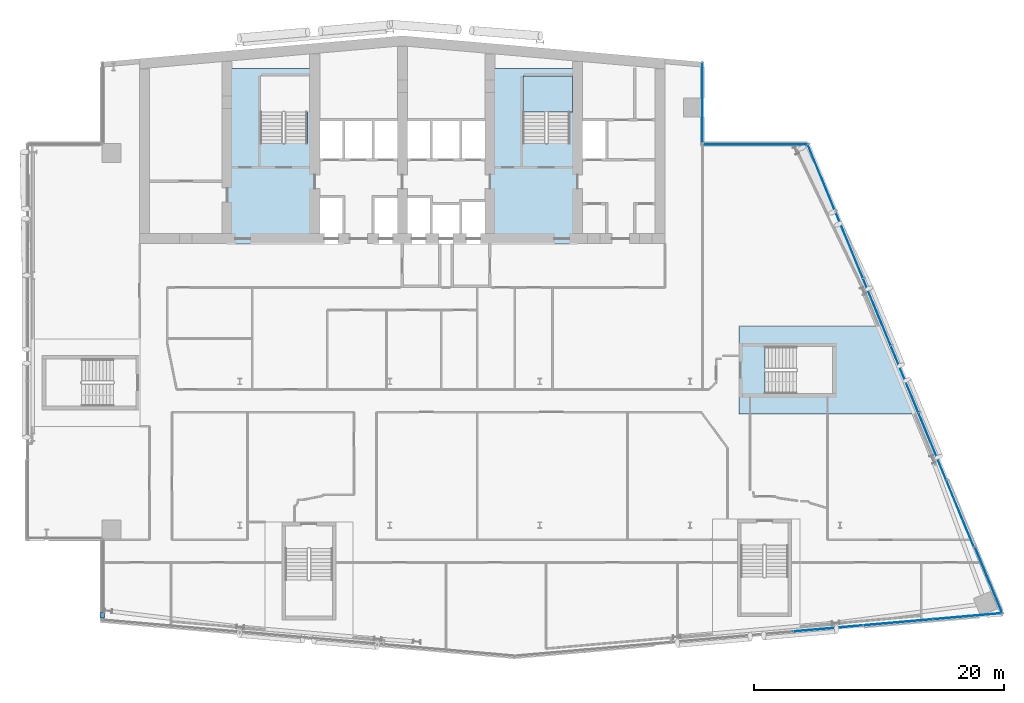
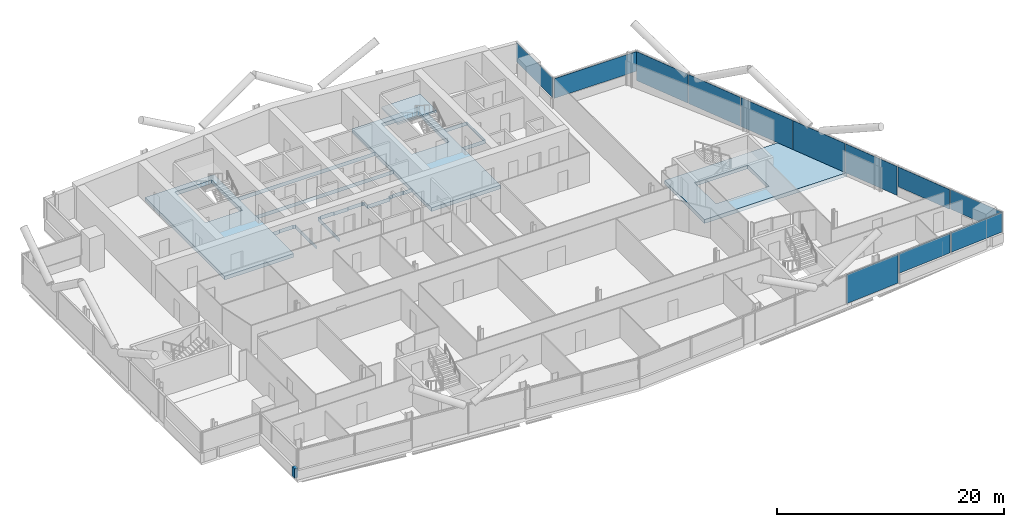
# One storey, part 13 of 27: 12 plates, 3 slabs, 1 wall, 5 elements without a shape of their own.
"""IFC4 building model written with IfcOpenShell, lengths in metres."""

from ifc_helpers import new_model, si_unit, direction, frame, frame_2d, origin, origin_2d, place, context, subcontext, project, spatial, polyline, rectangle, outline, extrude, material, layer, layer_set, type_object, element, aggregate, save


model = new_model("IFC4")

# Units and contexts
model_context = context("Model", 3, precision=1e-05, world=origin(), true_north=direction((0.0, 1.0)))
body_context = subcontext(model_context, "Body", "Model", "MODEL_VIEW")
ifc_project = project(units=[si_unit("LENGTHUNIT", "METRE"), si_unit("AREAUNIT", "SQUARE_METRE"), si_unit("VOLUMEUNIT", "CUBIC_METRE"), si_unit("PLANEANGLEUNIT", "RADIAN"), si_unit("MASSUNIT", "GRAM", prefix="KILO")], contexts=[model_context])

# Site, building, storey
site_placement = place(None, origin())
site = spatial("IfcSite", under=ifc_project, at=site_placement, CompositionType="ELEMENT")
building_placement = place(site_placement, origin())
building = spatial("IfcBuilding", under=site, at=building_placement, Name="Wharfspan Tower", CompositionType="ELEMENT")
storey_placement = place(building_placement, frame((0.0, 0.0, 195.100098)))
storey = spatial("IfcBuildingStorey", under=building, at=storey_placement, Name="L48", CompositionType="ELEMENT", Elevation=195.100098)

# Curtain wall, plates
ifc_material_1 = material(Name="Aluminium 6063-T6", Category="aluminium")
curtain_wall_type_1 = type_object("IfcCurtainWallType", Name="CURTAIN WALL FACETED FRONT", PredefinedType="NOTDEFINED", material=ifc_material_1)
curtain_wall_1_placement = place(storey_placement, origin())
curtain_wall_1 = element("IfcCurtainWall", 1, at=curtain_wall_1_placement, inside=storey, type_object=curtain_wall_type_1, Name="Curtain wall S2", PredefinedType="NOTDEFINED")
ifc_material_2 = material(Name="Glass clear low-iron double glazing", Category="glass")
ifc_layer_1 = layer(ifc_material_2, 0.040039)
ifc_layer_set_1 = layer_set([ifc_layer_1], Name="Glass clear low-iron double glazing")
plate_type_1 = type_object("IfcPlateType", Name="GLASS PANEL FACETED FRONT 40", PredefinedType="CURTAIN_PANEL", material=ifc_layer_set_1)
plate_1_placement = place(storey_placement, frame((76.637695, 3.728516, 0.999756), z_axis=(0.0, 0.0, 1.0), x_axis=(0.996198, 0.087156, 0.0)))
plate_1 = element("IfcPlate", 2, at=plate_1_placement, type_object=plate_type_1, Name="Curtain wall S2 panel 6", PredefinedType="CURTAIN_PANEL", context=body_context, shape_type="SweptSolid", body=[
    extrude(rectangle(XDim=5.532715, YDim=0.040039, at=origin_2d()), origin(), (0.0, 0.0, 1.0), 2.120117),
])
plate_2_placement = place(storey_placement, frame((82.194092, 4.214844, 0.999756), z_axis=(0.0, 0.0, 1.0), x_axis=(0.996198, 0.087156, 0.0)))
plate_2 = element("IfcPlate", 3, at=plate_2_placement, type_object=plate_type_1, Name="Curtain wall S2 panel 7", PredefinedType="CURTAIN_PANEL", context=body_context, shape_type="SweptSolid", body=[
    extrude(rectangle(XDim=5.502686, YDim=0.040039, at=origin_2d()), origin(), (0.0, 0.0, 1.0), 2.120117),
])

curtain_wall_type_2 = type_object("IfcCurtainWallType", Name="CURTAIN WALL PROW AND END", PredefinedType="NOTDEFINED", material=ifc_material_1)
curtain_wall_2_placement = place(storey_placement, origin())
curtain_wall_2 = element("IfcCurtainWall", 4, at=curtain_wall_2_placement, inside=storey, type_object=curtain_wall_type_2, Name="Curtain wall E", PredefinedType="NOTDEFINED")
ifc_layer_2 = layer(ifc_material_2, 0.040039)
ifc_layer_set_2 = layer_set([ifc_layer_2], Name="Glass clear low-iron double glazing")
plate_type_2 = type_object("IfcPlateType", Name="GLASS PANEL PROW AND END 40", PredefinedType="CURTAIN_PANEL", material=ifc_layer_set_2)
plate_3_placement = place(storey_placement, frame((83.885498, 7.099609, 0.999756), z_axis=(0.0, 0.0, 1.0), x_axis=(-0.381602, 0.924325, 0.0)))
plate_3 = element("IfcPlate", 5, at=plate_3_placement, type_object=plate_type_2, Name="Curtain wall E panel 1", PredefinedType="CURTAIN_PANEL", context=body_context, shape_type="SweptSolid", body=[
    extrude(rectangle(XDim=5.721191, YDim=0.040039, at=origin_2d()), origin(), (0.0, 0.0, 1.0), 2.120117),
])
plate_4_placement = place(storey_placement, frame((81.599609, 12.426514, 0.999756), z_axis=(0.0, 0.0, 1.0), x_axis=(-0.381602, 0.924325, 0.0)))
plate_4 = element("IfcPlate", 6, at=plate_4_placement, type_object=plate_type_2, Name="Curtain wall E panel 2", PredefinedType="CURTAIN_PANEL", context=body_context, shape_type="SweptSolid", body=[
    extrude(rectangle(XDim=5.751221, YDim=0.040039, at=origin_2d()), origin(), (0.0, 0.0, 1.0), 2.120117),
])

# Curtain wall, plate
curtain_wall_3_placement = place(storey_placement, origin())
curtain_wall_3 = element("IfcCurtainWall", 7, at=curtain_wall_3_placement, inside=storey, type_object=curtain_wall_type_2, Name="Curtain wall NRE-H", PredefinedType="NOTDEFINED")
plate_5_placement = place(storey_placement, frame((65.238525, 41.919922, 0.999756), z_axis=(0.0, 0.0, 1.0), x_axis=(-1.0, 0.0, 0.0)))
plate_5 = element("IfcPlate", 8, at=plate_5_placement, type_object=plate_type_2, Name="Curtain wall NRE-H panel 1", PredefinedType="CURTAIN_PANEL", context=body_context, shape_type="SweptSolid", body=[
    extrude(rectangle(XDim=8.357178, YDim=0.040039, at=origin_2d()), origin(), (0.0, 0.0, 1.0), 2.120117),
])
aggregate(curtain_wall_3, [plate_5])

curtain_wall_4_placement = place(storey_placement, origin())
curtain_wall_4 = element("IfcCurtainWall", 9, at=curtain_wall_4_placement, inside=storey, type_object=curtain_wall_type_2, Name="Curtain wall NRE-V", PredefinedType="NOTDEFINED")
plate_6_placement = place(storey_placement, frame((61.0, 45.262451, 0.999756), z_axis=(0.0, 0.0, 1.0), x_axis=(0.0, 1.0, 0.0)))
plate_6 = element("IfcPlate", 10, at=plate_6_placement, type_object=plate_type_2, Name="Curtain wall NRE-V panel 1", PredefinedType="CURTAIN_PANEL", context=body_context, shape_type="SweptSolid", body=[
    extrude(rectangle(XDim=6.405029, YDim=0.040039, at=origin_2d()), origin(), (0.0, 0.0, 1.0), 2.120117),
])
aggregate(curtain_wall_4, [plate_6])

# Plate
ifc_material_3 = material(Name="Aluminium composite opaque insulated panel", Category="aluminium")
ifc_layer_3 = layer(ifc_material_3, 0.040039)
ifc_layer_set_3 = layer_set([ifc_layer_3], Name="Aluminium composite opaque insulated panel")
plate_type_3 = type_object("IfcPlateType", Name="INFILL PANEL FACETED FRONT OPAQUE 40", PredefinedType="SHEET", material=ifc_layer_set_3)
plate_7_placement = place(storey_placement, frame((71.066162, 3.241211, -0.000244), z_axis=(0.0, 0.0, 1.0), x_axis=(0.996198, 0.087156, 0.0)))
plate_7 = element("IfcPlate", 11, at=plate_7_placement, type_object=plate_type_3, Name="Curtain wall S2 panel 5", PredefinedType="SHEET", context=body_context, shape_type="SweptSolid", body=[
    extrude(rectangle(XDim=5.532715, YDim=0.040039, at=origin_2d()), origin(), (0.0, 0.0, 1.0), 3.120117),
])

aggregate(curtain_wall_1, [plate_7, plate_1, plate_2])

ifc_layer_4 = layer(ifc_material_3, 0.040039)
ifc_layer_set_4 = layer_set([ifc_layer_4], Name="Aluminium composite opaque insulated panel")
plate_type_4 = type_object("IfcPlateType", Name="INFILL PANEL PROW AND END OPAQUE 40", PredefinedType="SHEET", material=ifc_layer_set_4)
plate_8_placement = place(storey_placement, frame((79.38208, 17.798096, -0.000244), z_axis=(0.0, 0.0, 1.0), x_axis=(-0.381602, 0.924325, 0.0)))
plate_8 = element("IfcPlate", 12, at=plate_8_placement, type_object=plate_type_4, Name="Curtain wall E panel 3", PredefinedType="SHEET", context=body_context, shape_type="SweptSolid", body=[
    extrude(rectangle(XDim=5.751221, YDim=0.040039, at=origin_2d()), origin(), (0.0, 0.0, 1.0), 3.120117),
])

plate_9_placement = place(storey_placement, frame((77.164551, 23.169434, -0.000244), z_axis=(0.0, 0.0, 1.0), x_axis=(-0.381602, 0.924325, 0.0)))
plate_9 = element("IfcPlate", 13, at=plate_9_placement, type_object=plate_type_4, Name="Curtain wall E panel 4", PredefinedType="SHEET", context=body_context, shape_type="SweptSolid", body=[
    extrude(rectangle(XDim=5.751221, YDim=0.040039, at=origin_2d()), origin(), (0.0, 0.0, 1.0), 3.120117),
])

plate_10_placement = place(storey_placement, frame((74.947021, 28.541016, -0.000244), z_axis=(0.0, 0.0, 1.0), x_axis=(-0.381602, 0.924325, 0.0)))
plate_10 = element("IfcPlate", 14, at=plate_10_placement, type_object=plate_type_4, Name="Curtain wall E panel 5", PredefinedType="SHEET", context=body_context, shape_type="SweptSolid", body=[
    extrude(rectangle(XDim=5.751221, YDim=0.040039, at=origin_2d()), origin(), (0.0, 0.0, 1.0), 3.120117),
])

plate_11_placement = place(storey_placement, frame((72.729492, 33.912354, -0.000244), z_axis=(0.0, 0.0, 1.0), x_axis=(-0.381602, 0.924325, 0.0)))
plate_11 = element("IfcPlate", 15, at=plate_11_placement, type_object=plate_type_4, Name="Curtain wall E panel 6", PredefinedType="SHEET", context=body_context, shape_type="SweptSolid", body=[
    extrude(rectangle(XDim=5.751221, YDim=0.040039, at=origin_2d()), origin(), (0.0, 0.0, 1.0), 3.120117),
])

plate_12_placement = place(storey_placement, frame((70.517578, 39.269775, -0.000244), z_axis=(0.0, 0.0, 1.0), x_axis=(-0.381602, 0.924325, 0.0)))
plate_12 = element("IfcPlate", 16, at=plate_12_placement, type_object=plate_type_4, Name="Curtain wall E panel 7", PredefinedType="SHEET", context=body_context, shape_type="SweptSolid", body=[
    extrude(rectangle(XDim=5.721191, YDim=0.040039, at=origin_2d()), origin(), (0.0, 0.0, 1.0), 3.120117),
])

aggregate(curtain_wall_2, [plate_3, plate_4, plate_8, plate_9, plate_10, plate_11, plate_12])

# Slabs
ifc_material_4 = material(Name="Concrete C40/50", Category="concrete")
ifc_layer_5 = layer(ifc_material_4, 0.399902)
ifc_layer_set_5 = layer_set([ifc_layer_5], Name="Concrete C40/50")
slab_type_1 = type_object("IfcSlabType", Name="Post-tensioned flat slab 400", PredefinedType="FLOOR", material=ifc_layer_set_5)
slab_1_placement = place(storey_placement, frame((0.0, 0.0, -0.400146)))
element("IfcSlab", 17, at=slab_1_placement, inside=storey, type_object=slab_type_1, Name="Core floor slab L48 part 3", PredefinedType="FLOOR", context=body_context, shape_type="SweptSolid", body=[
    extrude(outline(polyline([(23.0, 34.0), (29.998047, 34.0), (29.998047, 37.75), (29.998047, 37.750244), (29.998047, 37.750488), (29.998047, 37.750488), (29.998291, 37.750732), (29.998291, 37.750977), (29.998291, 37.751221), (29.998535, 37.751221), (29.998535, 37.751465), (29.998779, 37.751465), (29.998779, 37.751709), (29.999023, 37.751709), (29.999268, 37.751709), (29.999512, 37.751953), (29.999512, 37.751953), (29.999756, 37.751953), (30.0, 37.751953), (30.7146, 37.751953), (30.7146, 37.800049), (30.7146, 37.800293), (30.7146, 37.800293), (30.714844, 37.800537), (30.714844, 37.800781), (30.714844, 37.800781), (30.715088, 37.801025), (30.715088, 37.80127), (30.715332, 37.801514), (30.715332, 37.801514), (30.715576, 37.801758), (30.71582, 37.801758), (30.71582, 37.801758), (30.716064, 37.802002), (30.716309, 37.802002), (30.716553, 37.802002), (30.716797, 37.802002), (32.116699, 37.802002), (32.116943, 37.802002), (32.117188, 37.802002), (32.117188, 37.802002), (32.117432, 37.801758), (32.117676, 37.801758), (32.11792, 37.801758), (32.11792, 37.801514), (32.118164, 37.801514), (32.118164, 37.80127), (32.118408, 37.801025), (32.118408, 37.800781), (32.118408, 37.800781), (32.118652, 37.800537), (32.118652, 37.800293), (32.118652, 37.800293), (32.118652, 37.800049), (32.118652, 37.751953), (32.333252, 37.751953), (32.333496, 37.751953), (32.33374, 37.751953), (32.333984, 37.751953), (32.333984, 37.751709), (32.334229, 37.751709), (32.334473, 37.751709), (32.334717, 37.751465), (32.334717, 37.751465), (32.334961, 37.751221), (32.334961, 37.751221), (32.335205, 37.750977), (32.335205, 37.750732), (32.335205, 37.750488), (32.335205, 37.750488), (32.335205, 37.750244), (32.335205, 37.75), (32.335205, 34.0), (32.341309, 34.0), (32.341309, 37.758057), (32.126709, 37.758057), (32.126465, 37.758057), (32.126221, 37.758057), (32.126221, 37.758057), (32.125977, 37.758301), (32.125732, 37.758301), (32.125488, 37.758301), (32.125488, 37.758545), (32.125244, 37.758545), (32.125244, 37.758789), (32.125, 37.758789), (32.125, 37.759033), (32.125, 37.759277), (32.124756, 37.759521), (32.124756, 37.759521), (32.124756, 37.759766), (32.124756, 37.76001), (32.124756, 37.808105), (30.70874, 37.808105), (30.70874, 37.76001), (30.70874, 37.759766), (30.70874, 37.759521), (30.708496, 37.759521), (30.708496, 37.759277), (30.708496, 37.759033), (30.708496, 37.758789), (30.708252, 37.758789), (30.708008, 37.758545), (30.708008, 37.758545), (30.707764, 37.758301), (30.70752, 37.758301), (30.70752, 37.758301), (30.707275, 37.758057), (30.707031, 37.758057), (30.706787, 37.758057), (30.706787, 37.758057), (30.01001, 37.758057), (30.009766, 37.758057), (30.009521, 37.758057), (30.009521, 37.758057), (30.009277, 37.758301), (30.009033, 37.758301), (30.008789, 37.758301), (30.008789, 37.758545), (30.008545, 37.758545), (30.008545, 37.758789), (30.008301, 37.758789), (30.008301, 37.759033), (30.008301, 37.759277), (30.008057, 37.759521), (30.008057, 37.759521), (30.008057, 37.759766), (30.008057, 37.76001), (30.008057, 40.689941), (30.008057, 40.690186), (30.008057, 40.69043), (30.008057, 40.690674), (30.008301, 40.690918), (30.008301, 40.690918), (30.008301, 40.691162), (30.008545, 40.691406), (30.008545, 40.691406), (30.008789, 40.691406), (30.008789, 40.69165), (30.009033, 40.691895), (30.009277, 40.691895), (30.009521, 40.691895), (30.009521, 40.691895), (30.009766, 40.691895), (30.01001, 40.691895), (43.98999, 40.691895), (43.990234, 40.691895), (43.990479, 40.691895), (43.990479, 40.691895), (43.990723, 40.691895), (43.990967, 40.691895), (43.991211, 40.69165), (43.991211, 40.691406), (43.991455, 40.691406), (43.991455, 40.691406), (43.991699, 40.691162), (43.991699, 40.690918), (43.991699, 40.690918), (43.991943, 40.690674), (43.991943, 40.69043), (43.991943, 40.690186), (43.991943, 40.689941), (43.991943, 37.459961), (43.991943, 37.459717), (43.991943, 37.459717), (43.991943, 37.459473), (43.991699, 37.459229), (43.991699, 37.458984), (43.991699, 37.458984), (43.991455, 37.45874), (43.991455, 37.458496), (43.991211, 37.458496), (43.991211, 37.458252), (43.990967, 37.458252), (43.990723, 37.458252), (43.990479, 37.458008), (43.990479, 37.458008), (43.990234, 37.458008), (43.98999, 37.458008), (43.143311, 37.458008), (43.143066, 37.458008), (43.142822, 37.458008), (43.142578, 37.458008), (43.142578, 37.458252), (43.142334, 37.458252), (43.14209, 37.458252), (43.14209, 37.458496), (43.141846, 37.458496), (43.141846, 37.45874), (43.141602, 37.458984), (43.141602, 37.458984), (43.141602, 37.459229), (43.141357, 37.459473), (43.141357, 37.459717), (43.141357, 37.459717), (43.141357, 37.459961), (43.141357, 37.508057), (42.025391, 37.508057), (42.025391, 37.459961), (42.025391, 37.459717), (42.025391, 37.459717), (42.025146, 37.459473), (42.025146, 37.459229), (42.025146, 37.458984), (42.024902, 37.458984), (42.024902, 37.45874), (42.024658, 37.458496), (42.024658, 37.458496), (42.024414, 37.458252), (42.02417, 37.458252), (42.02417, 37.458252), (42.023926, 37.458008), (42.023682, 37.458008), (42.023438, 37.458008), (42.023193, 37.458008), (41.658691, 37.458008), (41.658691, 37.209961), (41.658691, 37.209717), (41.658691, 37.209717), (41.658691, 37.209473), (41.658447, 37.209229), (41.658447, 37.208984), (41.658447, 37.208984), (41.658203, 37.20874), (41.658203, 37.208496), (41.657959, 37.208496), (41.657715, 37.208252), (41.657715, 37.208252), (41.657471, 37.208252), (41.657227, 37.208008), (41.656982, 37.208008), (41.656982, 37.208008), (41.656738, 37.208008), (39.343262, 37.208008), (39.343018, 37.208008), (39.343018, 37.208008), (39.342773, 37.208008), (39.342529, 37.208252), (39.342285, 37.208252), (39.342285, 37.208252), (39.342041, 37.208496), (39.341797, 37.208496), (39.341797, 37.20874), (39.341553, 37.208984), (39.341553, 37.208984), (39.341553, 37.209229), (39.341309, 37.209473), (39.341309, 37.209717), (39.341309, 37.209717), (39.341309, 37.209961), (39.341309, 37.758057), (39.166748, 37.758057), (39.166504, 37.758057), (39.16626, 37.758057), (39.166016, 37.758057), (39.166016, 37.758301), (39.165771, 37.758301), (39.165527, 37.758301), (39.165283, 37.758545), (39.165283, 37.758545), (39.165283, 37.758789), (39.165039, 37.758789), (39.164795, 37.759033), (39.164795, 37.759277), (39.164795, 37.759521), (39.164795, 37.759521), (39.164795, 37.759766), (39.164795, 37.76001), (39.164795, 37.808105), (37.668701, 37.808105), (37.668701, 37.76001), (37.668701, 37.759766), (37.668701, 37.759521), (37.668701, 37.759521), (37.668457, 37.759277), (37.668457, 37.759033), (37.668457, 37.758789), (37.668213, 37.758789), (37.668213, 37.758545), (37.667969, 37.758545), (37.667725, 37.758301), (37.66748, 37.758301), (37.66748, 37.758301), (37.667236, 37.758057), (37.666992, 37.758057), (37.666992, 37.758057), (37.666748, 37.758057), (36.293213, 37.758057), (36.293213, 37.758057), (36.292969, 37.758057), (36.292725, 37.758057), (36.29248, 37.758301), (36.29248, 37.758301), (36.292236, 37.758301), (36.291992, 37.758545), (36.291992, 37.758545), (36.291748, 37.758789), (36.291504, 37.758789), (36.291504, 37.759033), (36.291504, 37.759277), (36.291504, 37.759521), (36.29126, 37.759521), (36.29126, 37.759766), (36.29126, 37.76001), (36.29126, 37.808105), (34.875244, 37.808105), (34.875244, 37.76001), (34.875244, 37.759766), (34.875244, 37.759521), (34.875244, 37.759521), (34.875, 37.759277), (34.875, 37.759033), (34.875, 37.758789), (34.874756, 37.758789), (34.874756, 37.758545), (34.874512, 37.758545), (34.874512, 37.758301), (34.874268, 37.758301), (34.874023, 37.758301), (34.873779, 37.758057), (34.873779, 37.758057), (34.873535, 37.758057), (34.873291, 37.758057), (34.658691, 37.758057), (34.658691, 34.0), (34.664795, 34.0), (34.664795, 37.75), (34.664795, 37.750244), (34.664795, 37.750488), (34.664795, 37.750488), (34.664795, 37.750732), (34.664795, 37.750977), (34.665039, 37.751221), (34.665039, 37.751221), (34.665283, 37.751465), (34.665283, 37.751465), (34.665527, 37.751709), (34.665771, 37.751709), (34.666016, 37.751709), (34.666016, 37.751953), (34.66626, 37.751953), (34.666504, 37.751953), (34.666748, 37.751953), (34.881348, 37.751953), (34.881348, 37.800049), (34.881348, 37.800293), (34.881348, 37.800293), (34.881348, 37.800537), (34.881592, 37.800781), (34.881592, 37.800781), (34.881592, 37.801025), (34.881836, 37.80127), (34.881836, 37.801514), (34.88208, 37.801514), (34.88208, 37.801758), (34.882324, 37.801758), (34.882568, 37.801758), (34.882812, 37.802002), (34.882812, 37.802002), (34.883057, 37.802002), (34.883301, 37.802002), (36.283203, 37.802002), (36.283447, 37.802002), (36.283691, 37.802002), (36.283936, 37.802002), (36.28418, 37.801758), (36.28418, 37.801758), (36.284424, 37.801758), (36.284668, 37.801514), (36.284668, 37.801514), (36.284912, 37.80127), (36.284912, 37.801025), (36.285156, 37.800781), (36.285156, 37.800781), (36.285156, 37.800537), (36.2854, 37.800293), (36.2854, 37.800293), (36.2854, 37.800049), (36.2854, 37.751953), (37.674805, 37.751953), (37.674805, 37.800049), (37.674805, 37.800293), (37.674805, 37.800293), (37.674805, 37.800537), (37.674805, 37.800781), (37.674805, 37.800781), (37.675049, 37.801025), (37.675049, 37.80127), (37.675293, 37.801514), (37.675293, 37.801514), (37.675537, 37.801758), (37.675781, 37.801758), (37.675781, 37.801758), (37.676025, 37.802002), (37.67627, 37.802002), (37.676514, 37.802002), (37.676758, 37.802002), (39.156738, 37.802002), (39.156982, 37.802002), (39.156982, 37.802002), (39.157227, 37.802002), (39.157471, 37.801758), (39.157715, 37.801758), (39.157715, 37.801758), (39.157959, 37.801514), (39.158203, 37.801514), (39.158203, 37.80127), (39.158203, 37.801025), (39.158447, 37.800781), (39.158447, 37.800781), (39.158691, 37.800537), (39.158691, 37.800293), (39.158691, 37.800293), (39.158691, 37.800049), (39.158691, 37.751953), (39.333252, 37.751953), (39.333496, 37.751953), (39.33374, 37.751953), (39.333984, 37.751953), (39.333984, 37.751709), (39.334229, 37.751709), (39.334473, 37.751709), (39.334717, 37.751465), (39.334717, 37.751465), (39.334961, 37.751221), (39.334961, 37.751221), (39.335205, 37.750977), (39.335205, 37.750732), (39.335205, 37.750488), (39.335205, 37.750488), (39.335205, 37.750244), (39.335205, 37.75), (39.335205, 37.201904), (41.664795, 37.201904), (41.664795, 37.449951), (41.664795, 37.450195), (41.664795, 37.450439), (41.664795, 37.450684), (41.664795, 37.450684), (41.664795, 37.450928), (41.665039, 37.451172), (41.665039, 37.451416), (41.665283, 37.451416), (41.665283, 37.451416), (41.665527, 37.45166), (41.665771, 37.451904), (41.666016, 37.451904), (41.666016, 37.451904), (41.66626, 37.451904), (41.666504, 37.451904), (41.666748, 37.451904), (42.03125, 37.451904), (42.03125, 37.5), (42.03125, 37.500244), (42.031494, 37.500488), (42.031494, 37.500488), (42.031494, 37.500732), (42.031494, 37.500977), (42.031738, 37.501221), (42.031738, 37.501221), (42.031982, 37.501465), (42.031982, 37.501465), (42.032227, 37.501709), (42.032471, 37.501709), (42.032715, 37.501709), (42.032715, 37.501953), (42.032959, 37.501953), (42.033203, 37.501953), (42.033203, 37.501953), (43.133301, 37.501953), (43.133545, 37.501953), (43.133789, 37.501953), (43.133789, 37.501953), (43.134033, 37.501709), (43.134277, 37.501709), (43.134521, 37.501709), (43.134521, 37.501465), (43.134766, 37.501465), (43.13501, 37.501221), (43.13501, 37.501221), (43.13501, 37.500977), (43.135254, 37.500732), (43.135254, 37.500488), (43.135254, 37.500488), (43.135254, 37.500244), (43.135254, 37.5), (43.135254, 37.451904), (44.0, 37.451904), (44.000244, 37.451904), (44.000488, 37.451904), (44.000488, 37.451904), (44.000732, 37.451904), (44.000977, 37.451904), (44.001221, 37.45166), (44.001221, 37.451416), (44.001465, 37.451416), (44.001465, 37.451416), (44.001709, 37.451172), (44.001709, 37.450928), (44.001709, 37.450684), (44.001953, 37.450684), (44.001953, 37.450439), (44.001953, 37.450195), (44.001953, 37.449951), (44.001953, 34.0), (51.0, 34.0), (51.008057, 34.0), (51.008057, 40.689941), (51.008057, 40.690186), (51.008057, 40.69043), (51.008057, 40.690674), (51.008301, 40.690918), (51.008301, 40.690918), (51.008301, 40.691162), (51.008545, 40.691406), (51.008545, 40.691406), (51.008789, 40.691406), (51.008789, 40.69165), (51.009033, 40.691895), (51.009277, 40.691895), (51.009521, 40.691895), (51.009521, 40.691895), (51.009766, 40.691895), (51.01001, 40.691895), (53.341309, 40.691895), (53.341309, 43.907959), (51.01001, 43.907959), (51.009766, 43.907959), (51.009521, 43.907959), (51.009521, 43.908203), (51.009277, 43.908203), (51.009033, 43.908203), (51.008789, 43.908203), (51.008789, 43.908447), (51.008545, 43.908691), (51.008545, 43.908691), (51.008301, 43.908936), (51.008301, 43.90918), (51.008301, 43.90918), (51.008057, 43.909424), (51.008057, 43.909668), (51.008057, 43.909912), (51.008057, 43.909912), (51.008057, 48.008057), (43.991943, 48.008057), (43.991943, 43.909912), (43.991943, 43.909912), (43.991943, 43.909668), (43.991943, 43.909424), (43.991699, 43.90918), (43.991699, 43.90918), (43.991699, 43.908936), (43.991455, 43.908691), (43.991455, 43.908691), (43.991211, 43.908447), (43.991211, 43.908203), (43.990967, 43.908203), (43.990723, 43.908203), (43.990479, 43.908203), (43.990479, 43.907959), (43.990234, 43.907959), (43.98999, 43.907959), (30.01001, 43.907959), (30.009766, 43.907959), (30.009521, 43.907959), (30.009521, 43.908203), (30.009277, 43.908203), (30.009033, 43.908203), (30.008789, 43.908203), (30.008789, 43.908447), (30.008545, 43.908691), (30.008545, 43.908691), (30.008301, 43.908936), (30.008301, 43.90918), (30.008301, 43.90918), (30.008057, 43.909424), (30.008057, 43.909668), (30.008057, 43.909912), (30.008057, 43.909912), (30.008057, 48.008057), (22.991943, 48.008057), (22.991943, 34.0), (23.0, 34.0)]), holes=[polyline([(53.333252, 43.9021), (53.333496, 43.9021), (53.33374, 43.9021), (53.333984, 43.901855), (53.333984, 43.901855), (53.334229, 43.901855), (53.334473, 43.901611), (53.334717, 43.901611), (53.334717, 43.901367), (53.334961, 43.901367), (53.334961, 43.901123), (53.335205, 43.900879), (53.335205, 43.900879), (53.335205, 43.900635), (53.335205, 43.900391), (53.335205, 43.900146), (53.335205, 43.899902), (53.335205, 40.699951), (53.335205, 40.699707), (53.335205, 40.699707), (53.335205, 40.699463), (53.335205, 40.699219), (53.335205, 40.699219), (53.334961, 40.698975), (53.334961, 40.69873), (53.334717, 40.698486), (53.334717, 40.698486), (53.334473, 40.698242), (53.334229, 40.698242), (53.333984, 40.698242), (53.333984, 40.697998), (53.33374, 40.697998), (53.333496, 40.697998), (53.333252, 40.697998), (51.0, 40.697998), (50.999756, 40.697998), (50.999512, 40.697998), (50.999512, 40.697998), (50.999268, 40.698242), (50.999023, 40.698242), (50.998779, 40.698242), (50.998779, 40.698486), (50.998535, 40.698486), (50.998535, 40.69873), (50.998291, 40.698975), (50.998291, 40.699219), (50.998291, 40.699219), (50.998047, 40.699463), (50.998047, 40.699707), (50.998047, 40.699707), (50.998047, 40.699951), (50.998047, 43.899902), (50.998047, 43.900146), (50.998047, 43.900391), (50.998047, 43.900635), (50.998291, 43.900879), (50.998291, 43.900879), (50.998291, 43.901123), (50.998535, 43.901367), (50.998535, 43.901367), (50.998779, 43.901611), (50.998779, 43.901611), (50.999023, 43.901855), (50.999268, 43.901855), (50.999512, 43.901855), (50.999512, 43.9021), (50.999756, 43.9021), (51.0, 43.9021), (53.333252, 43.9021)]), polyline([(46.649902, 41.998047), (46.649902, 41.998047), (46.649658, 41.998047), (46.649414, 41.998047), (46.64917, 41.998291), (46.64917, 41.998291), (46.648926, 41.998291), (46.648682, 41.998535), (46.648682, 41.998535), (46.648438, 41.998779), (46.648193, 41.998779), (46.648193, 41.999023), (46.648193, 41.999268), (46.648193, 41.999512), (46.647949, 41.999512), (46.647949, 41.999756), (46.647949, 42.0), (46.647949, 47.399902), (46.647949, 47.400146), (46.647949, 47.400391), (46.648193, 47.400635), (46.648193, 47.400879), (46.648193, 47.400879), (46.648193, 47.401123), (46.648438, 47.401367), (46.648682, 47.401367), (46.648682, 47.401611), (46.648926, 47.401611), (46.64917, 47.401855), (46.64917, 47.401855), (46.649414, 47.401855), (46.649658, 47.4021), (46.649902, 47.4021), (46.649902, 47.4021), (50.399902, 47.4021), (50.400146, 47.4021), (50.400391, 47.4021), (50.400635, 47.401855), (50.400879, 47.401855), (50.400879, 47.401855), (50.401123, 47.401611), (50.401367, 47.401611), (50.401367, 47.401367), (50.401611, 47.401367), (50.401611, 47.401123), (50.401855, 47.400879), (50.401855, 47.400879), (50.401855, 47.400635), (50.4021, 47.400391), (50.4021, 47.400146), (50.4021, 47.399902), (50.4021, 42.0), (50.4021, 41.999756), (50.4021, 41.999512), (50.401855, 41.999512), (50.401855, 41.999268), (50.401855, 41.999023), (50.401611, 41.998779), (50.401611, 41.998779), (50.401367, 41.998535), (50.401367, 41.998535), (50.401123, 41.998291), (50.400879, 41.998291), (50.400879, 41.998291), (50.400635, 41.998047), (50.400391, 41.998047), (50.400146, 41.998047), (50.399902, 41.998047), (46.649902, 41.998047)]), polyline([(44.0, 43.9021), (44.000244, 43.9021), (44.000488, 43.9021), (44.000488, 43.901855), (44.000732, 43.901855), (44.000977, 43.901855), (44.001221, 43.901611), (44.001221, 43.901611), (44.001465, 43.901367), (44.001465, 43.901367), (44.001709, 43.901123), (44.001709, 43.900879), (44.001709, 43.900879), (44.001953, 43.900635), (44.001953, 43.900391), (44.001953, 43.900146), (44.001953, 43.899902), (44.001953, 40.699951), (44.001953, 40.699707), (44.001953, 40.699707), (44.001953, 40.699463), (44.001709, 40.699219), (44.001709, 40.699219), (44.001709, 40.698975), (44.001465, 40.69873), (44.001465, 40.698486), (44.001221, 40.698486), (44.001221, 40.698242), (44.000977, 40.698242), (44.000732, 40.698242), (44.000488, 40.697998), (44.000488, 40.697998), (44.000244, 40.697998), (44.0, 40.697998), (30.0, 40.697998), (29.999756, 40.697998), (29.999512, 40.697998), (29.999512, 40.697998), (29.999268, 40.698242), (29.999023, 40.698242), (29.998779, 40.698242), (29.998779, 40.698486), (29.998535, 40.698486), (29.998535, 40.69873), (29.998291, 40.698975), (29.998291, 40.699219), (29.998291, 40.699219), (29.998047, 40.699463), (29.998047, 40.699707), (29.998047, 40.699707), (29.998047, 40.699951), (29.998047, 43.899902), (29.998047, 43.900146), (29.998047, 43.900391), (29.998047, 43.900635), (29.998291, 43.900879), (29.998291, 43.900879), (29.998291, 43.901123), (29.998535, 43.901367), (29.998535, 43.901367), (29.998779, 43.901611), (29.998779, 43.901611), (29.999023, 43.901855), (29.999268, 43.901855), (29.999512, 43.901855), (29.999512, 43.9021), (29.999756, 43.9021), (30.0, 43.9021), (44.0, 43.9021)]), polyline([(29.4021, 42.0), (29.4021, 41.999756), (29.4021, 41.999512), (29.401855, 41.999512), (29.401855, 41.999268), (29.401855, 41.999023), (29.401611, 41.998779), (29.401611, 41.998779), (29.401367, 41.998535), (29.401367, 41.998535), (29.401123, 41.998291), (29.400879, 41.998291), (29.400879, 41.998291), (29.400635, 41.998047), (29.400391, 41.998047), (29.400146, 41.998047), (29.399902, 41.998047), (25.649902, 41.998047), (25.649902, 41.998047), (25.649658, 41.998047), (25.649414, 41.998047), (25.64917, 41.998291), (25.64917, 41.998291), (25.648926, 41.998291), (25.648682, 41.998535), (25.648682, 41.998535), (25.648438, 41.998779), (25.648193, 41.998779), (25.648193, 41.999023), (25.648193, 41.999268), (25.648193, 41.999512), (25.647949, 41.999512), (25.647949, 41.999756), (25.647949, 42.0), (25.647949, 47.399902), (25.647949, 47.400146), (25.647949, 47.400391), (25.648193, 47.400635), (25.648193, 47.400879), (25.648193, 47.400879), (25.648193, 47.401123), (25.648438, 47.401367), (25.648682, 47.401367), (25.648682, 47.401611), (25.648926, 47.401611), (25.64917, 47.401855), (25.64917, 47.401855), (25.649414, 47.401855), (25.649658, 47.4021), (25.649902, 47.4021), (25.649902, 47.4021), (29.399902, 47.4021), (29.400146, 47.4021), (29.400391, 47.4021), (29.400635, 47.401855), (29.400879, 47.401855), (29.400879, 47.401855), (29.401123, 47.401611), (29.401367, 47.401611), (29.401367, 47.401367), (29.401611, 47.401367), (29.401611, 47.401123), (29.401855, 47.400879), (29.401855, 47.400879), (29.401855, 47.400635), (29.4021, 47.400391), (29.4021, 47.400146), (29.4021, 47.399902), (29.4021, 42.0)])]), origin(), (0.0, 0.0, 1.0), 0.400146),
])
slab_2_placement = place(storey_placement, frame((0.0, 0.0, -0.400146)))
element("IfcSlab", 18, at=slab_2_placement, inside=storey, type_object=slab_type_1, Name="Core floor slab L48 part 5", PredefinedType="FLOOR", context=body_context, shape_type="SweptSolid", body=[
    extrude(outline(polyline([(78.394531, 20.399902), (75.504639, 27.399902), (63.904541, 27.399902), (63.904541, 20.399902), (78.394531, 20.399902)]), holes=[polyline([(66.004639, 22.022949), (66.004395, 22.022949), (66.00415, 22.022949), (66.003906, 22.023193), (66.003906, 22.023193), (66.003662, 22.023193), (66.003418, 22.023193), (66.003418, 22.023438), (66.003174, 22.023682), (66.00293, 22.023682), (66.00293, 22.023926), (66.002686, 22.02417), (66.002686, 22.02417), (66.002686, 22.024414), (66.002686, 22.024658), (66.002686, 22.024902), (66.002686, 22.024902), (66.002686, 25.774902), (66.002686, 25.775146), (66.002686, 25.775391), (66.002686, 25.775635), (66.002686, 25.775879), (66.002686, 25.775879), (66.00293, 25.776123), (66.00293, 25.776367), (66.003174, 25.776367), (66.003418, 25.776611), (66.003418, 25.776611), (66.003662, 25.776855), (66.003906, 25.776855), (66.003906, 25.776855), (66.00415, 25.7771), (66.004395, 25.7771), (66.004639, 25.7771), (71.404541, 25.7771), (71.404785, 25.7771), (71.405029, 25.7771), (71.405273, 25.776855), (71.405518, 25.776855), (71.405518, 25.776855), (71.405762, 25.776611), (71.406006, 25.776611), (71.406006, 25.776367), (71.406006, 25.776367), (71.40625, 25.776123), (71.406494, 25.775879), (71.406494, 25.775879), (71.406494, 25.775635), (71.406494, 25.775391), (71.406494, 25.775146), (71.406494, 25.774902), (71.406494, 22.024902), (71.406494, 22.024902), (71.406494, 22.024658), (71.406494, 22.024414), (71.406494, 22.02417), (71.406494, 22.02417), (71.40625, 22.023926), (71.406006, 22.023682), (71.406006, 22.023682), (71.406006, 22.023438), (71.405762, 22.023193), (71.405518, 22.023193), (71.405518, 22.023193), (71.405273, 22.023193), (71.405029, 22.022949), (71.404785, 22.022949), (71.404541, 22.022949), (66.004639, 22.022949)])]), origin(), (0.0, 0.0, 1.0), 0.400146),
])

# Stair, slab
stair_type = type_object("IfcStairType", Name="Half-turn stair 20 risers 180 mm", PredefinedType="HALF_TURN_STAIR", material=ifc_material_4)
stair_placement = place(storey_placement, origin())
stair = element("IfcStair", 19, at=stair_placement, inside=storey, type_object=stair_type, Name="L48 stair ST2", PredefinedType="HALF_TURN_STAIR")
ifc_layer_6 = layer(ifc_material_4, 0.199951)
ifc_layer_set_6 = layer_set([ifc_layer_6], Name="Concrete C40/50")
slab_type_2 = type_object("IfcSlabType", Name="Stair landing 200", PredefinedType="LANDING", material=ifc_layer_set_6)
slab_3_placement = place(storey_placement, frame((0.0, 0.0, 1.599609)))
slab_3 = element("IfcSlab", 20, at=slab_3_placement, type_object=slab_type_2, Name="ST2 landing 1", PredefinedType="LANDING", context=body_context, shape_type="SweptSolid", body=[
    extrude(outline(polyline([(46.649902, 44.52002), (50.600098, 44.52002), (50.600098, 47.399902), (46.649902, 47.399902), (46.649902, 44.52002)])), origin(), (0.0, 0.0, 1.0), 0.200195),
])
aggregate(stair, [slab_3])

# Wall
ifc_layer_7 = layer(ifc_material_4, 0.350098)
ifc_layer_set_7 = layer_set([ifc_layer_7], Name="Concrete C40/50")
wall_type = type_object("IfcWallType", Name="SPANDREL EXPOSED CONCRETE 350", PredefinedType="SOLIDWALL", material=ifc_layer_set_7)
wall_placement = place(storey_placement, frame((12.995117, 4.512451, 0.0), z_axis=(0.0, 0.0, 1.0), x_axis=(0.0, -1.0, 0.0)))
element("IfcWall", 21, at=wall_placement, inside=storey, type_object=wall_type, Name="Spandrel upstand L48 NFW-V 2", PredefinedType="SOLIDWALL", context=body_context, shape_type="SweptSolid", body=[
    extrude(rectangle(XDim=0.453613, YDim=0.350098, at=frame_2d((0.226807, 0.0))), origin(), (0.0, 0.0, 1.0), 1.0),
])

save(model, "model.ifc")
